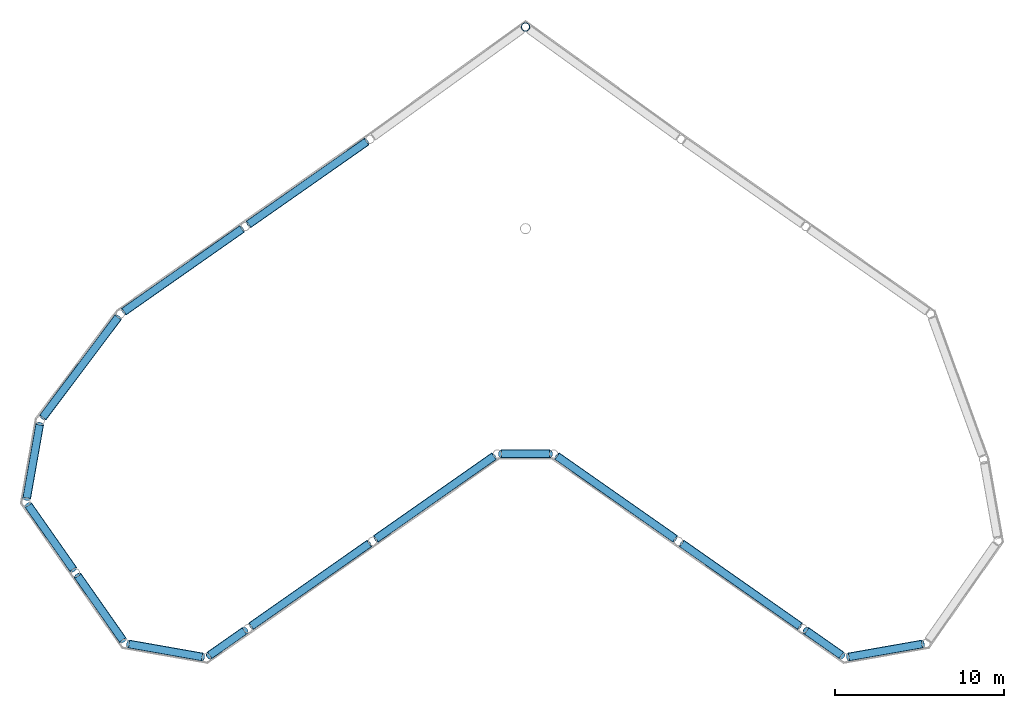
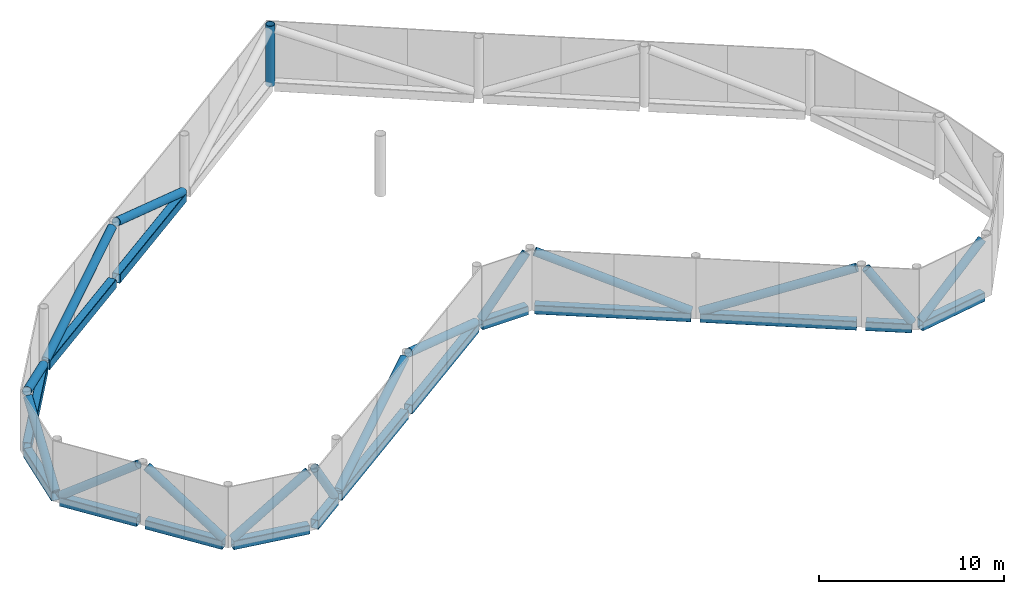
# One storey, part 2 of 4: 15 beams, 15 members, 1 column.
"""IFC4 building model written with IfcOpenShell, lengths in metres."""

from ifc_helpers import new_model, si_unit, direction, frame, origin, origin_2d, place, context, subcontext, project, spatial, hollow_rectangle, hollow_circle, extrude, material, material_profile, profile_set, type_object, element, save


model = new_model("IFC4")

# Units and contexts
model_context = context("Model", 3, precision=1e-05, world=origin(), true_north=direction((0.0, 1.0)))
body_context = subcontext(model_context, "Body", "Model", "MODEL_VIEW")
ifc_project = project(units=[si_unit("LENGTHUNIT", "METRE"), si_unit("AREAUNIT", "SQUARE_METRE"), si_unit("VOLUMEUNIT", "CUBIC_METRE"), si_unit("PLANEANGLEUNIT", "RADIAN"), si_unit("MASSUNIT", "GRAM", prefix="KILO")], contexts=[model_context])

# Site, building, storey
site_placement = place(None, origin())
site = spatial("IfcSite", under=ifc_project, at=site_placement, CompositionType="ELEMENT")
building_placement = place(site_placement, origin())
building = spatial("IfcBuilding", under=site, at=building_placement, Name="Tel Ilan Convention Tower", CompositionType="ELEMENT")
storey_placement = place(building_placement, frame((0.0, 0.0, 326.800048828125)))
storey = spatial("IfcBuildingStorey", under=building, at=storey_placement, Name="L77", CompositionType="ELEMENT", Elevation=326.800048828125)

# Column
ifc_material_1 = material(Name="Steel S355", Category="steel")
ifc_material_profile_1 = material_profile(ifc_material_1, hollow_circle(Radius=0.25390625, WallThickness=0.02490234375, at=origin_2d()), Name="CHS 508x25")
ifc_profile_set_1 = profile_set([ifc_material_profile_1], Name="Steel S355")
column_type = type_object("IfcColumnType", Name="CROWN FRAME COLUMN CHS 508x25", PredefinedType="COLUMN", material=ifc_profile_set_1)
column_placement = place(storey_placement, frame((0.0, 11.91796875, 0.0), z_axis=(0.0, 0.0, 1.0), x_axis=(1.0, 0.0, 0.0)))
element("IfcColumn", 1, at=column_placement, inside=storey, type_object=column_type, Name="CROWN FRAME column", PredefinedType="COLUMN", context=body_context, shape_type="SweptSolid", body=[
    extrude(hollow_circle(Radius=0.25390625, WallThickness=0.02490234375, at=origin_2d()), origin(), (0.0, 0.0, 1.0), 4.0),
])

# Members
ifc_material_2 = material(Name="Steel S355", Category="steel")
ifc_material_profile_2 = material_profile(ifc_material_2, hollow_circle(Radius=0.25390625, WallThickness=0.01611328125, at=origin_2d()), Name="CHS 508x16")
ifc_profile_set_2 = profile_set([ifc_material_profile_2], Name="Steel S355")
member_type = type_object("IfcMemberType", Name="CROWN FRAME BRACE CHS 508x16", PredefinedType="BRACE", material=ifc_profile_set_2)
member_1_placement = place(storey_placement, frame((-18.658935546875, -25.212158203125, 3.699951171875), z_axis=(0.484197231699, 0.339111817177, -0.806570651751), x_axis=(-0.573659598331, 0.819093807352, 0.0)))
element("IfcMember", 2, at=member_1_placement, inside=storey, type_object=member_type, Name="CROWN FRAME brace", PredefinedType="BRACE", context=body_context, shape_type="SweptSolid", body=[
    extrude(hollow_circle(Radius=0.25390625, WallThickness=0.01611328125, at=origin_2d()), origin(), (0.0, 0.0, 1.0), 4.21533203125),
])
member_2_placement = place(storey_placement, frame((-16.201904296875, -23.4912109375, 0.300048828125), z_axis=(0.760457085565, 0.532488114036, 0.371700725618), x_axis=(-0.573583902989, 0.819146816042, 0.0)))
element("IfcMember", 3, at=member_2_placement, inside=storey, type_object=member_type, Name="CROWN FRAME brace", PredefinedType="BRACE", context=body_context, shape_type="SweptSolid", body=[
    extrude(hollow_circle(Radius=0.25390625, WallThickness=0.01611328125, at=origin_2d()), origin(), (0.0, 0.0, 1.0), 9.14697265625),
])
member_3_placement = place(storey_placement, frame((-8.829833984375, -18.329345703125, 3.699951171875), z_axis=(0.760502103222, 0.532444883638, -0.37167054885), x_axis=(-0.57352987213, 0.819184646935, 0.0)))
element("IfcMember", 4, at=member_3_placement, inside=storey, type_object=member_type, Name="CROWN FRAME brace", PredefinedType="BRACE", context=body_context, shape_type="SweptSolid", body=[
    extrude(hollow_circle(Radius=0.25390625, WallThickness=0.01611328125, at=origin_2d()), origin(), (0.0, 0.0, 1.0), 9.147705078125),
])
member_4_placement = place(storey_placement, frame((-1.410888671875, -13.31298828125, 0.300048828125), z_axis=(0.6386504471, 0.0, 0.769496982723), x_axis=(0.0, 1.0, 0.0)))
element("IfcMember", 5, at=member_4_placement, inside=storey, type_object=member_type, Name="CROWN FRAME brace", PredefinedType="BRACE", context=body_context, shape_type="SweptSolid", body=[
    extrude(hollow_circle(Radius=0.25390625, WallThickness=0.01611328125, at=origin_2d()), origin(), (0.0, 0.0, 1.0), 4.41845703125),
])
member_5_placement = place(storey_placement, frame((1.873046875, -13.458740234375, 3.699951171875), z_axis=(0.760502103222, -0.532444883638, -0.37167054885), x_axis=(0.57352987213, 0.819184646935, 0.0)))
element("IfcMember", 6, at=member_5_placement, inside=storey, type_object=member_type, Name="CROWN FRAME brace", PredefinedType="BRACE", context=body_context, shape_type="SweptSolid", body=[
    extrude(hollow_circle(Radius=0.25390625, WallThickness=0.01611328125, at=origin_2d()), origin(), (0.0, 0.0, 1.0), 9.147705078125),
])
member_6_placement = place(storey_placement, frame((9.24609375, -18.62060546875, 0.300048828125), z_axis=(0.760457085565, -0.532488114036, 0.371700725618), x_axis=(0.573583902989, 0.819146816042, 0.0)))
element("IfcMember", 7, at=member_6_placement, inside=storey, type_object=member_type, Name="CROWN FRAME brace", PredefinedType="BRACE", context=body_context, shape_type="SweptSolid", body=[
    extrude(hollow_circle(Radius=0.25390625, WallThickness=0.01611328125, at=origin_2d()), origin(), (0.0, 0.0, 1.0), 9.14697265625),
])
member_7_placement = place(storey_placement, frame((16.617919921875, -23.78271484375, 3.699951171875), z_axis=(0.484197231699, -0.339111817177, -0.806570651751), x_axis=(0.573659598331, 0.819093807352, 0.0)))
element("IfcMember", 8, at=member_7_placement, inside=storey, type_object=member_type, Name="CROWN FRAME brace", PredefinedType="BRACE", context=body_context, shape_type="SweptSolid", body=[
    extrude(hollow_circle(Radius=0.25390625, WallThickness=0.01611328125, at=origin_2d()), origin(), (0.0, 0.0, 1.0), 4.21533203125),
])
member_8_placement = place(storey_placement, frame((19.1171875, -25.31396484375, 0.300048828125), z_axis=(0.777350873367, 0.137023962932, 0.613962582946), x_axis=(-0.173594152601, 0.984817277561, 0.0)))
element("IfcMember", 9, at=member_8_placement, inside=storey, type_object=member_type, Name="CROWN FRAME brace", PredefinedType="BRACE", context=body_context, shape_type="SweptSolid", body=[
    extrude(hollow_circle(Radius=0.25390625, WallThickness=0.01611328125, at=origin_2d()), origin(), (0.0, 0.0, 1.0), 5.53759765625),
])
member_9_placement = place(storey_placement, frame((-9.401123046875, 5.13720703125, 0.300048828125), z_axis=(-0.760457085565, -0.532488114036, 0.371700725618), x_axis=(0.573583902989, -0.819146816042, 0.0)))
element("IfcMember", 10, at=member_9_placement, inside=storey, type_object=member_type, Name="CROWN FRAME brace", PredefinedType="BRACE", context=body_context, shape_type="SweptSolid", body=[
    extrude(hollow_circle(Radius=0.25390625, WallThickness=0.01611328125, at=origin_2d()), origin(), (0.0, 0.0, 1.0), 9.14697265625),
])
member_10_placement = place(storey_placement, frame((-16.77294921875, -0.024658203125, 3.699951171875), z_axis=(-0.760425108847, -0.532553791307, -0.371672050604), x_axis=(0.573647554936, -0.819102241918, 0.0)))
element("IfcMember", 11, at=member_10_placement, inside=storey, type_object=member_type, Name="CROWN FRAME brace", PredefinedType="BRACE", context=body_context, shape_type="SweptSolid", body=[
    extrude(hollow_circle(Radius=0.25390625, WallThickness=0.01611328125, at=origin_2d()), origin(), (0.0, 0.0, 1.0), 9.147705078125),
])
member_11_placement = place(storey_placement, frame((-24.089599609375, -5.2451171875, 0.300048828125), z_axis=(-0.54556047467, -0.726192330526, 0.418340133818), x_axis=(0.799515545431, -0.600645396731, 0.0)))
element("IfcMember", 12, at=member_11_placement, inside=storey, type_object=member_type, Name="CROWN FRAME brace", PredefinedType="BRACE", context=body_context, shape_type="SweptSolid", body=[
    extrude(hollow_circle(Radius=0.25390625, WallThickness=0.01611328125, at=origin_2d()), origin(), (0.0, 0.0, 1.0), 8.127197265625),
])
member_12_placement = place(storey_placement, frame((-28.72021484375, -11.60009765625, 3.699951171875), z_axis=(-0.137023962932, -0.777350873367, -0.613962582946), x_axis=(0.984817277561, -0.173594152601, 0.0)))
element("IfcMember", 13, at=member_12_placement, inside=storey, type_object=member_type, Name="CROWN FRAME brace", PredefinedType="BRACE", context=body_context, shape_type="SweptSolid", body=[
    extrude(hollow_circle(Radius=0.25390625, WallThickness=0.01611328125, at=origin_2d()), origin(), (0.0, 0.0, 1.0), 5.53759765625),
])
member_13_placement = place(storey_placement, frame((-29.37744140625, -16.363037109375, 0.300048828125), z_axis=(0.460944959569, -0.658389032443, 0.59502405515), x_axis=(0.819189459192, 0.573522998622, 0.0)))
element("IfcMember", 14, at=member_13_placement, inside=storey, type_object=member_type, Name="CROWN FRAME brace", PredefinedType="BRACE", context=body_context, shape_type="SweptSolid", body=[
    extrude(hollow_circle(Radius=0.25390625, WallThickness=0.01611328125, at=origin_2d()), origin(), (0.0, 0.0, 1.0), 5.7138671875),
])
member_14_placement = place(storey_placement, frame((-26.452392578125, -20.541015625, 3.699951171875), z_axis=(0.461079540574, -0.658337160924, -0.594977175873), x_axis=(0.819089549842, 0.573665677324, 0.0)))
element("IfcMember", 15, at=member_14_placement, inside=storey, type_object=member_type, Name="CROWN FRAME brace", PredefinedType="BRACE", context=body_context, shape_type="SweptSolid", body=[
    extrude(hollow_circle(Radius=0.25390625, WallThickness=0.01611328125, at=origin_2d()), origin(), (0.0, 0.0, 1.0), 5.71435546875),
])
member_15_placement = place(storey_placement, frame((-23.421875, -24.55517578125, 0.300048828125), z_axis=(0.777350873367, -0.137023962932, 0.613962582946), x_axis=(0.173594152601, 0.984817277561, 0.0)))
element("IfcMember", 16, at=member_15_placement, inside=storey, type_object=member_type, Name="CROWN FRAME brace", PredefinedType="BRACE", context=body_context, shape_type="SweptSolid", body=[
    extrude(hollow_circle(Radius=0.25390625, WallThickness=0.01611328125, at=origin_2d()), origin(), (0.0, 0.0, 1.0), 5.53759765625),
])

# Beams
ifc_material_3 = material(Name="Steel S355", Category="steel")
ifc_material_profile_3 = material_profile(ifc_material_3, hollow_rectangle(XDim=0.5, YDim=0.60009765625, WallThickness=0.02490234375, InnerFilletRadius=0.02490234375, OuterFilletRadius=0.050048828125, at=origin_2d()), Name="RHS 600x500x25")
ifc_profile_set_3 = profile_set([ifc_material_profile_3], Name="Steel S355")
beam_type = type_object("IfcBeamType", Name="CROWN FRAME RING BEAM RHS 600x500x25", PredefinedType="BEAM", material=ifc_profile_set_3)
beam_1_placement = place(storey_placement, frame((-18.658935546875, -25.212158203125, 0.0), z_axis=(0.819093807352, 0.573659598331, 0.0), x_axis=(-0.573659598331, 0.819093807352, 0.0)))
element("IfcBeam", 17, at=beam_1_placement, inside=storey, type_object=beam_type, Name="CROWN FRAME ring beam", PredefinedType="BEAM", context=body_context, shape_type="SweptSolid", body=[
    extrude(hollow_rectangle(XDim=0.5, YDim=0.60009765625, WallThickness=0.02490234375, InnerFilletRadius=0.02490234375, OuterFilletRadius=0.050048828125, at=origin_2d()), origin(), (0.0, 0.0, 1.0), 2.49169921875),
])
beam_2_placement = place(storey_placement, frame((-16.201904296875, -23.4912109375, 0.0), z_axis=(0.819146816042, 0.573583902989, 0.0), x_axis=(-0.573583902989, 0.819146816042, 0.0)))
element("IfcBeam", 18, at=beam_2_placement, inside=storey, type_object=beam_type, Name="CROWN FRAME ring beam", PredefinedType="BEAM", context=body_context, shape_type="SweptSolid", body=[
    extrude(hollow_rectangle(XDim=0.5, YDim=0.60009765625, WallThickness=0.02490234375, InnerFilletRadius=0.02490234375, OuterFilletRadius=0.050048828125, at=origin_2d()), origin(), (0.0, 0.0, 1.0), 8.491455078125),
])
beam_3_placement = place(storey_placement, frame((-8.829833984375, -18.329345703125, 0.0), z_axis=(0.819184646935, 0.57352987213, 0.0), x_axis=(-0.57352987213, 0.819184646935, 0.0)))
element("IfcBeam", 19, at=beam_3_placement, inside=storey, type_object=beam_type, Name="CROWN FRAME ring beam", PredefinedType="BEAM", context=body_context, shape_type="SweptSolid", body=[
    extrude(hollow_rectangle(XDim=0.5, YDim=0.60009765625, WallThickness=0.02490234375, InnerFilletRadius=0.02490234375, OuterFilletRadius=0.050048828125, at=origin_2d()), origin(), (0.0, 0.0, 1.0), 8.492431640625),
])
beam_4_placement = place(storey_placement, frame((-1.410888671875, -13.31298828125, 0.0), z_axis=(1.0, 0.0, 0.0), x_axis=(0.0, 1.0, 0.0)))
element("IfcBeam", 20, at=beam_4_placement, inside=storey, type_object=beam_type, Name="CROWN FRAME ring beam", PredefinedType="BEAM", context=body_context, shape_type="SweptSolid", body=[
    extrude(hollow_rectangle(XDim=0.5, YDim=0.60009765625, WallThickness=0.02490234375, InnerFilletRadius=0.02490234375, OuterFilletRadius=0.050048828125, at=origin_2d()), origin(), (0.0, 0.0, 1.0), 2.82177734375),
])
beam_5_placement = place(storey_placement, frame((1.873046875, -13.458740234375, 0.0), z_axis=(0.819184646935, -0.57352987213, 0.0), x_axis=(0.57352987213, 0.819184646935, 0.0)))
element("IfcBeam", 21, at=beam_5_placement, inside=storey, type_object=beam_type, Name="CROWN FRAME ring beam", PredefinedType="BEAM", context=body_context, shape_type="SweptSolid", body=[
    extrude(hollow_rectangle(XDim=0.5, YDim=0.60009765625, WallThickness=0.02490234375, InnerFilletRadius=0.02490234375, OuterFilletRadius=0.050048828125, at=origin_2d()), origin(), (0.0, 0.0, 1.0), 8.492431640625),
])
beam_6_placement = place(storey_placement, frame((9.24609375, -18.62060546875, 0.0), z_axis=(0.819146816042, -0.573583902989, 0.0), x_axis=(0.573583902989, 0.819146816042, 0.0)))
element("IfcBeam", 22, at=beam_6_placement, inside=storey, type_object=beam_type, Name="CROWN FRAME ring beam", PredefinedType="BEAM", context=body_context, shape_type="SweptSolid", body=[
    extrude(hollow_rectangle(XDim=0.5, YDim=0.60009765625, WallThickness=0.02490234375, InnerFilletRadius=0.02490234375, OuterFilletRadius=0.050048828125, at=origin_2d()), origin(), (0.0, 0.0, 1.0), 8.491455078125),
])
beam_7_placement = place(storey_placement, frame((16.617919921875, -23.78271484375, 0.0), z_axis=(0.819093807352, -0.573659598331, 0.0), x_axis=(0.573659598331, 0.819093807352, 0.0)))
element("IfcBeam", 23, at=beam_7_placement, inside=storey, type_object=beam_type, Name="CROWN FRAME ring beam", PredefinedType="BEAM", context=body_context, shape_type="SweptSolid", body=[
    extrude(hollow_rectangle(XDim=0.5, YDim=0.60009765625, WallThickness=0.02490234375, InnerFilletRadius=0.02490234375, OuterFilletRadius=0.050048828125, at=origin_2d()), origin(), (0.0, 0.0, 1.0), 2.49169921875),
])
beam_8_placement = place(storey_placement, frame((19.1171875, -25.31396484375, 0.0), z_axis=(0.984817277561, 0.173594152601, 0.0), x_axis=(-0.173594152601, 0.984817277561, 0.0)))
element("IfcBeam", 24, at=beam_8_placement, inside=storey, type_object=beam_type, Name="CROWN FRAME ring beam", PredefinedType="BEAM", context=body_context, shape_type="SweptSolid", body=[
    extrude(hollow_rectangle(XDim=0.5, YDim=0.60009765625, WallThickness=0.02490234375, InnerFilletRadius=0.02490234375, OuterFilletRadius=0.050048828125, at=origin_2d()), origin(), (0.0, 0.0, 1.0), 4.37109375),
])
beam_9_placement = place(storey_placement, frame((-9.401123046875, 5.13720703125, 0.0), z_axis=(-0.819146816042, -0.573583902989, 0.0), x_axis=(0.573583902989, -0.819146816042, 0.0)))
element("IfcBeam", 25, at=beam_9_placement, inside=storey, type_object=beam_type, Name="CROWN FRAME ring beam", PredefinedType="BEAM", context=body_context, shape_type="SweptSolid", body=[
    extrude(hollow_rectangle(XDim=0.5, YDim=0.60009765625, WallThickness=0.02490234375, InnerFilletRadius=0.02490234375, OuterFilletRadius=0.050048828125, at=origin_2d()), origin(), (0.0, 0.0, 1.0), 8.491455078125),
])
beam_10_placement = place(storey_placement, frame((-16.77294921875, -0.024658203125, 0.0), z_axis=(-0.819102241918, -0.573647554936, 0.0), x_axis=(0.573647554936, -0.819102241918, 0.0)))
element("IfcBeam", 26, at=beam_10_placement, inside=storey, type_object=beam_type, Name="CROWN FRAME ring beam", PredefinedType="BEAM", context=body_context, shape_type="SweptSolid", body=[
    extrude(hollow_rectangle(XDim=0.5, YDim=0.60009765625, WallThickness=0.02490234375, InnerFilletRadius=0.02490234375, OuterFilletRadius=0.050048828125, at=origin_2d()), origin(), (0.0, 0.0, 1.0), 8.4921875),
])
beam_11_placement = place(storey_placement, frame((-24.089599609375, -5.2451171875, 0.0), z_axis=(-0.600645396731, -0.799515545431, 0.0), x_axis=(0.799515545431, -0.600645396731, 0.0)))
element("IfcBeam", 27, at=beam_11_placement, inside=storey, type_object=beam_type, Name="CROWN FRAME ring beam", PredefinedType="BEAM", context=body_context, shape_type="SweptSolid", body=[
    extrude(hollow_rectangle(XDim=0.5, YDim=0.60009765625, WallThickness=0.02490234375, InnerFilletRadius=0.02490234375, OuterFilletRadius=0.050048828125, at=origin_2d()), origin(), (0.0, 0.0, 1.0), 7.3818359375),
])
beam_12_placement = place(storey_placement, frame((-28.72021484375, -11.60009765625, 0.0), z_axis=(-0.173594152601, -0.984817277561, 0.0), x_axis=(0.984817277561, -0.173594152601, 0.0)))
element("IfcBeam", 28, at=beam_12_placement, inside=storey, type_object=beam_type, Name="CROWN FRAME ring beam", PredefinedType="BEAM", context=body_context, shape_type="SweptSolid", body=[
    extrude(hollow_rectangle(XDim=0.5, YDim=0.60009765625, WallThickness=0.02490234375, InnerFilletRadius=0.02490234375, OuterFilletRadius=0.050048828125, at=origin_2d()), origin(), (0.0, 0.0, 1.0), 4.37109375),
])
beam_13_placement = place(storey_placement, frame((-29.37744140625, -16.363037109375, 0.0), z_axis=(0.573522998622, -0.819189459192, 0.0), x_axis=(0.819189459192, 0.573522998622, 0.0)))
element("IfcBeam", 29, at=beam_13_placement, inside=storey, type_object=beam_type, Name="CROWN FRAME ring beam", PredefinedType="BEAM", context=body_context, shape_type="SweptSolid", body=[
    extrude(hollow_rectangle(XDim=0.5, YDim=0.60009765625, WallThickness=0.02490234375, InnerFilletRadius=0.02490234375, OuterFilletRadius=0.050048828125, at=origin_2d()), origin(), (0.0, 0.0, 1.0), 4.59228515625),
])
beam_14_placement = place(storey_placement, frame((-26.452392578125, -20.541015625, 0.0), z_axis=(0.573665677324, -0.819089549842, 0.0), x_axis=(0.819089549842, 0.573665677324, 0.0)))
element("IfcBeam", 30, at=beam_14_placement, inside=storey, type_object=beam_type, Name="CROWN FRAME ring beam", PredefinedType="BEAM", context=body_context, shape_type="SweptSolid", body=[
    extrude(hollow_rectangle(XDim=0.5, YDim=0.60009765625, WallThickness=0.02490234375, InnerFilletRadius=0.02490234375, OuterFilletRadius=0.050048828125, at=origin_2d()), origin(), (0.0, 0.0, 1.0), 4.5927734375),
])
beam_15_placement = place(storey_placement, frame((-23.421875, -24.55517578125, 0.0), z_axis=(0.984817277561, -0.173594152601, 0.0), x_axis=(0.173594152601, 0.984817277561, 0.0)))
element("IfcBeam", 31, at=beam_15_placement, inside=storey, type_object=beam_type, Name="CROWN FRAME ring beam", PredefinedType="BEAM", context=body_context, shape_type="SweptSolid", body=[
    extrude(hollow_rectangle(XDim=0.5, YDim=0.60009765625, WallThickness=0.02490234375, InnerFilletRadius=0.02490234375, OuterFilletRadius=0.050048828125, at=origin_2d()), origin(), (0.0, 0.0, 1.0), 4.37109375),
])

save(model, "model.ifc")
